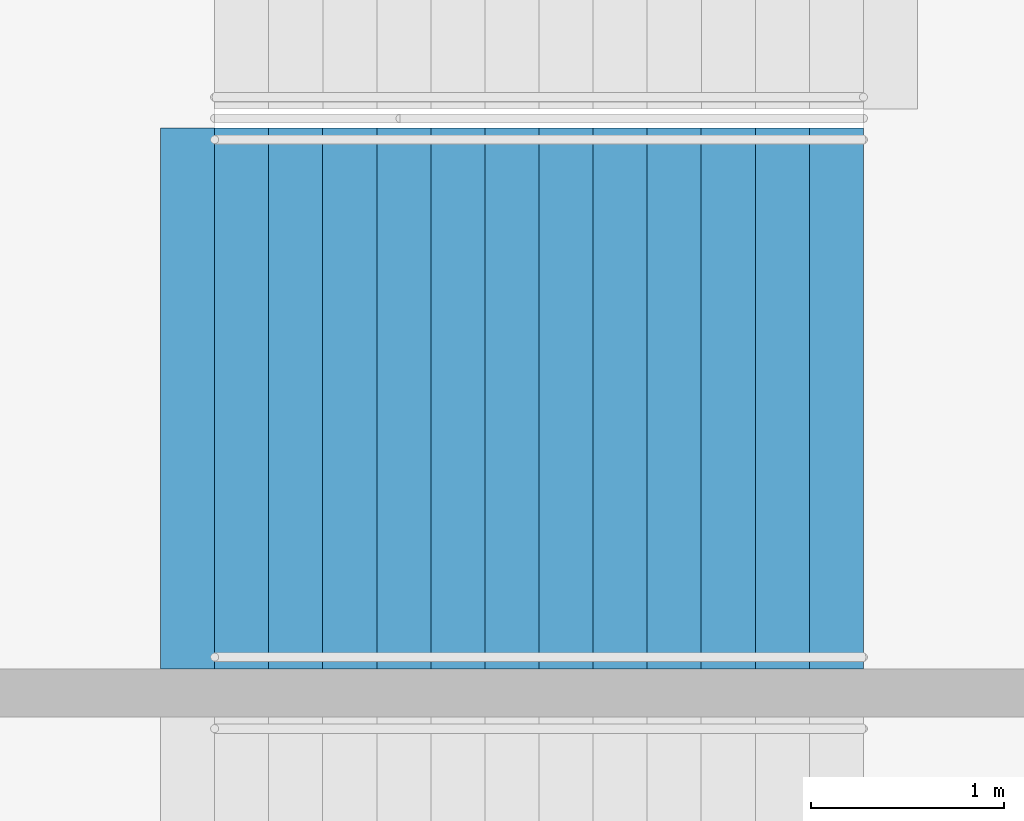
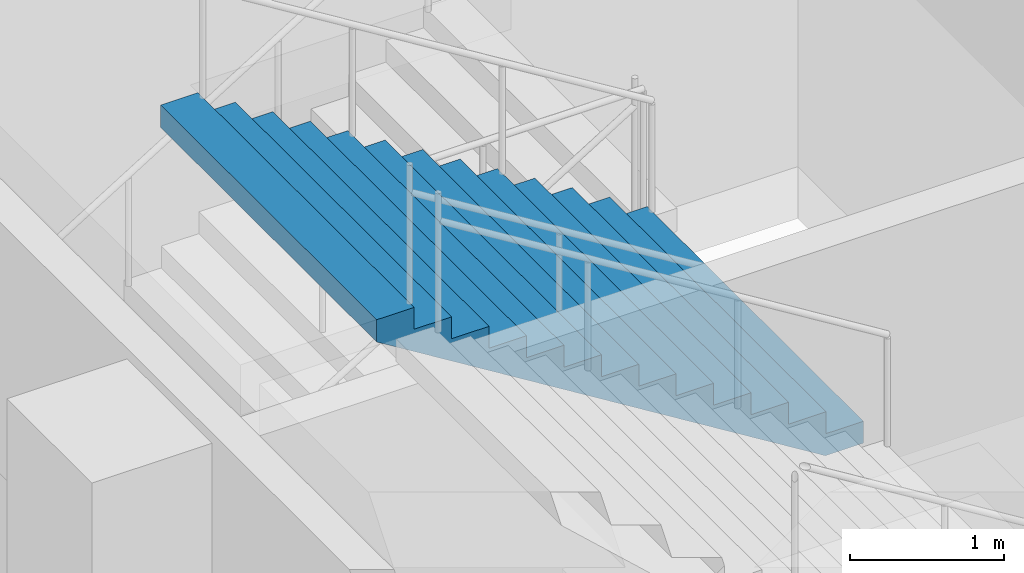
# One storey, part 129 of 177: 1 stair flight, 1 element without a shape of its own.
"""IFC4 building model written with IfcOpenShell, lengths in metres."""

from ifc_helpers import new_model, si_unit, direction, frame, origin, place, context, subcontext, project, spatial, faceted_brep, material, type_object, element, aggregate, save


model = new_model("IFC4")

# Units and contexts
model_context = context("Model", 3, precision=1e-05, world=origin(), true_north=direction((0.0, 1.0)))
body_context = subcontext(model_context, "Body", "Model", "MODEL_VIEW")
ifc_project = project(units=[si_unit("LENGTHUNIT", "METRE"), si_unit("AREAUNIT", "SQUARE_METRE"), si_unit("VOLUMEUNIT", "CUBIC_METRE"), si_unit("PLANEANGLEUNIT", "RADIAN"), si_unit("MASSUNIT", "GRAM", prefix="KILO")], contexts=[model_context])

# Site, building, storey
site_placement = place(None, origin())
site = spatial("IfcSite", under=ifc_project, at=site_placement, CompositionType="ELEMENT")
building_placement = place(site_placement, origin())
building = spatial("IfcBuilding", under=site, at=building_placement, Name="Ogive Plaza Stadium", CompositionType="ELEMENT")
storey_placement = place(building_placement, frame((0.0, 0.0, 18.0)))
storey = spatial("IfcBuildingStorey", under=building, at=storey_placement, Name="L04", CompositionType="ELEMENT", Elevation=18.0)

# Stair, stair flight
ifc_material_1 = material(Name="Concrete C40/50", Category="concrete")
stair_type = type_object("IfcStairType", Name="Exit stair", PredefinedType="STRAIGHT_RUN_STAIR", material=ifc_material_1)
stair_placement = place(storey_placement, origin())
stair = element("IfcStair", 1, at=stair_placement, inside=storey, type_object=stair_type, Name="Exit stair ST04B L04 to L05", PredefinedType="STRAIGHT_RUN_STAIR")
ifc_material_2 = material(Name="Concrete C40/50", Category="concrete")
stair_flight_type = type_object("IfcStairFlightType", Name="Exit stair flight", PredefinedType="STRAIGHT", material=ifc_material_2)
stair_flight_placement = place(storey_placement, frame((79.7099609375, 9.02490234375, 2.25), z_axis=(0.0, 0.0, 1.0), x_axis=(-1.0, 0.0, 0.0)))
stair_flight = element("IfcStairFlight", 2, at=stair_flight_placement, type_object=stair_flight_type, Name="ST04B flight 2", NumberOfRisers=13, NumberOfTreads=12, PredefinedType="STRAIGHT", RiserHeight=0.173076923, TreadLength=0.28, context=body_context, shape_type="Brep", body=[
    faceted_brep([(0.28515625, -1.39990234375, 0.0), (3.639892578125, -1.39990234375, 2.07373046875), (3.639892578125, -1.39990234375, 2.25), (3.360107421875, -1.39990234375, 2.25), (3.360107421875, -1.39990234375, 2.076904296875), (3.080078125, -1.39990234375, 2.076904296875), (3.080078125, -1.39990234375, 1.90380859375), (2.800048828125, -1.39990234375, 1.90380859375), (2.800048828125, -1.39990234375, 1.730712890625), (2.52001953125, -1.39990234375, 1.730712890625), (2.52001953125, -1.39990234375, 1.5576171875), (2.239990234375, -1.39990234375, 1.5576171875), (2.239990234375, -1.39990234375, 1.384521484375), (1.9599609375, -1.39990234375, 1.384521484375), (1.9599609375, -1.39990234375, 1.21142578125), (1.679931640625, -1.39990234375, 1.21142578125), (1.679931640625, -1.39990234375, 1.03857421875), (1.39990234375, -1.39990234375, 1.03857421875), (1.39990234375, -1.39990234375, 0.865478515625), (1.1201171875, -1.39990234375, 0.865478515625), (1.1201171875, -1.39990234375, 0.6923828125), (0.840087890625, -1.39990234375, 0.6923828125), (0.840087890625, -1.39990234375, 0.519287109375), (0.56005859375, -1.39990234375, 0.519287109375), (0.56005859375, -1.39990234375, 0.34619140625), (0.280029296875, -1.39990234375, 0.34619140625), (0.280029296875, -1.39990234375, 0.173095703125), (0.0, -1.39990234375, 0.173095703125), (0.0, -1.39990234375, 0.0), (0.0, 1.39990234375, 0.0), (0.0, 1.39990234375, 0.173095703125), (0.280029296875, 1.39990234375, 0.173095703125), (0.280029296875, 1.39990234375, 0.34619140625), (0.56005859375, 1.39990234375, 0.34619140625), (0.56005859375, 1.39990234375, 0.519287109375), (0.840087890625, 1.39990234375, 0.519287109375), (0.840087890625, 1.39990234375, 0.6923828125), (1.1201171875, 1.39990234375, 0.6923828125), (1.1201171875, 1.39990234375, 0.865478515625), (1.39990234375, 1.39990234375, 0.865478515625), (1.39990234375, 1.39990234375, 1.03857421875), (1.679931640625, 1.39990234375, 1.03857421875), (1.679931640625, 1.39990234375, 1.21142578125), (1.9599609375, 1.39990234375, 1.21142578125), (1.9599609375, 1.39990234375, 1.384521484375), (2.239990234375, 1.39990234375, 1.384521484375), (2.239990234375, 1.39990234375, 1.5576171875), (2.52001953125, 1.39990234375, 1.5576171875), (2.52001953125, 1.39990234375, 1.730712890625), (2.800048828125, 1.39990234375, 1.730712890625), (2.800048828125, 1.39990234375, 1.90380859375), (3.080078125, 1.39990234375, 1.90380859375), (3.080078125, 1.39990234375, 2.076904296875), (3.360107421875, 1.39990234375, 2.076904296875), (3.360107421875, 1.39990234375, 2.25), (3.639892578125, 1.39990234375, 2.25), (3.639892578125, 1.39990234375, 2.07373046875), (0.28515625, 1.39990234375, 0.0), (0.28515625, -1.0888671875, 0.0), (3.639892578125, -1.0888671875, 2.07373046875), (0.28515625, -0.77783203125, 0.0), (3.639892578125, -0.77783203125, 2.07373046875), (0.28515625, -0.466796875, 0.0), (3.639892578125, -0.466796875, 2.07373046875), (0.28515625, -0.155517578125, 0.0), (3.639892578125, -0.155517578125, 2.07373046875), (0.28515625, 0.155517578125, 0.0), (3.639892578125, 0.155517578125, 2.07373046875), (0.28515625, 0.466796875, 0.0), (3.639892578125, 0.466796875, 2.07373046875), (0.28515625, 0.77783203125, 0.0), (3.639892578125, 0.77783203125, 2.07373046875), (0.28515625, 1.0888671875, 0.0), (3.639892578125, 1.0888671875, 2.07373046875), (3.639892578125, -1.0888671875, 2.25), (3.639892578125, -0.77783203125, 2.25), (3.639892578125, -0.466796875, 2.25), (3.639892578125, -0.155517578125, 2.25), (3.639892578125, 0.155517578125, 2.25), (3.639892578125, 0.466796875, 2.25), (3.639892578125, 0.77783203125, 2.25), (3.639892578125, 1.0888671875, 2.25), (3.360107421875, -1.0888671875, 2.25), (3.360107421875, -0.77783203125, 2.25), (3.360107421875, -0.466796875, 2.25), (3.360107421875, -0.155517578125, 2.25), (3.360107421875, 0.155517578125, 2.25), (3.360107421875, 0.466796875, 2.25), (3.360107421875, 0.77783203125, 2.25), (3.360107421875, 1.0888671875, 2.25), (3.360107421875, -1.0888671875, 2.076904296875), (3.360107421875, -0.77783203125, 2.076904296875), (3.360107421875, -0.466796875, 2.076904296875), (3.360107421875, -0.155517578125, 2.076904296875), (3.360107421875, 0.155517578125, 2.076904296875), (3.360107421875, 0.466796875, 2.076904296875), (3.360107421875, 0.77783203125, 2.076904296875), (3.360107421875, 1.0888671875, 2.076904296875), (3.080078125, -1.0888671875, 2.076904296875), (3.080078125, -0.77783203125, 2.076904296875), (3.080078125, -0.466796875, 2.076904296875), (3.080078125, -0.155517578125, 2.076904296875), (3.080078125, 0.155517578125, 2.076904296875), (3.080078125, 0.466796875, 2.076904296875), (3.080078125, 0.77783203125, 2.076904296875), (3.080078125, 1.0888671875, 2.076904296875), (3.080078125, -1.0888671875, 1.90380859375), (3.080078125, -0.77783203125, 1.90380859375), (3.080078125, -0.466796875, 1.90380859375), (3.080078125, -0.155517578125, 1.90380859375), (3.080078125, 0.155517578125, 1.90380859375), (3.080078125, 0.466796875, 1.90380859375), (3.080078125, 0.77783203125, 1.90380859375), (3.080078125, 1.0888671875, 1.90380859375), (2.800048828125, -1.0888671875, 1.90380859375), (2.800048828125, -0.77783203125, 1.90380859375), (2.800048828125, -0.466796875, 1.90380859375), (2.800048828125, -0.155517578125, 1.90380859375), (2.800048828125, 0.155517578125, 1.90380859375), (2.800048828125, 0.466796875, 1.90380859375), (2.800048828125, 0.77783203125, 1.90380859375), (2.800048828125, 1.0888671875, 1.90380859375), (2.800048828125, -1.0888671875, 1.730712890625), (2.800048828125, -0.77783203125, 1.730712890625), (2.800048828125, -0.466796875, 1.730712890625), (2.800048828125, -0.155517578125, 1.730712890625), (2.800048828125, 0.155517578125, 1.730712890625), (2.800048828125, 0.466796875, 1.730712890625), (2.800048828125, 0.77783203125, 1.730712890625), (2.800048828125, 1.0888671875, 1.730712890625), (2.52001953125, -1.0888671875, 1.730712890625), (2.52001953125, -0.77783203125, 1.730712890625), (2.52001953125, -0.466796875, 1.730712890625), (2.52001953125, -0.155517578125, 1.730712890625), (2.52001953125, 0.155517578125, 1.730712890625), (2.52001953125, 0.466796875, 1.730712890625), (2.52001953125, 0.77783203125, 1.730712890625), (2.52001953125, 1.0888671875, 1.730712890625), (2.52001953125, -1.0888671875, 1.5576171875), (2.52001953125, -0.77783203125, 1.5576171875), (2.52001953125, -0.466796875, 1.5576171875), (2.52001953125, -0.155517578125, 1.5576171875), (2.52001953125, 0.155517578125, 1.5576171875), (2.52001953125, 0.466796875, 1.5576171875), (2.52001953125, 0.77783203125, 1.5576171875), (2.52001953125, 1.0888671875, 1.5576171875), (2.239990234375, -1.0888671875, 1.5576171875), (2.239990234375, -0.77783203125, 1.5576171875), (2.239990234375, -0.466796875, 1.5576171875), (2.239990234375, -0.155517578125, 1.5576171875), (2.239990234375, 0.155517578125, 1.5576171875), (2.239990234375, 0.466796875, 1.5576171875), (2.239990234375, 0.77783203125, 1.5576171875), (2.239990234375, 1.0888671875, 1.5576171875), (2.239990234375, -1.0888671875, 1.384521484375), (2.239990234375, -0.77783203125, 1.384521484375), (2.239990234375, -0.466796875, 1.384521484375), (2.239990234375, -0.155517578125, 1.384521484375), (2.239990234375, 0.155517578125, 1.384521484375), (2.239990234375, 0.466796875, 1.384521484375), (2.239990234375, 0.77783203125, 1.384521484375), (2.239990234375, 1.0888671875, 1.384521484375), (1.9599609375, -1.0888671875, 1.384521484375), (1.9599609375, -0.77783203125, 1.384521484375), (1.9599609375, -0.466796875, 1.384521484375), (1.9599609375, -0.155517578125, 1.384521484375), (1.9599609375, 0.155517578125, 1.384521484375), (1.9599609375, 0.466796875, 1.384521484375), (1.9599609375, 0.77783203125, 1.384521484375), (1.9599609375, 1.0888671875, 1.384521484375), (1.9599609375, -1.0888671875, 1.21142578125), (1.9599609375, -0.77783203125, 1.21142578125), (1.9599609375, -0.466796875, 1.21142578125), (1.9599609375, -0.155517578125, 1.21142578125), (1.9599609375, 0.155517578125, 1.21142578125), (1.9599609375, 0.466796875, 1.21142578125), (1.9599609375, 0.77783203125, 1.21142578125), (1.9599609375, 1.0888671875, 1.21142578125), (1.679931640625, -1.0888671875, 1.21142578125), (1.679931640625, -0.77783203125, 1.21142578125), (1.679931640625, -0.466796875, 1.21142578125), (1.679931640625, -0.155517578125, 1.21142578125), (1.679931640625, 0.155517578125, 1.21142578125), (1.679931640625, 0.466796875, 1.21142578125), (1.679931640625, 0.77783203125, 1.21142578125), (1.679931640625, 1.0888671875, 1.21142578125), (1.679931640625, -1.0888671875, 1.03857421875), (1.679931640625, -0.77783203125, 1.03857421875), (1.679931640625, -0.466796875, 1.03857421875), (1.679931640625, -0.155517578125, 1.03857421875), (1.679931640625, 0.155517578125, 1.03857421875), (1.679931640625, 0.466796875, 1.03857421875), (1.679931640625, 0.77783203125, 1.03857421875), (1.679931640625, 1.0888671875, 1.03857421875), (1.39990234375, -1.0888671875, 1.03857421875), (1.39990234375, -0.77783203125, 1.03857421875), (1.39990234375, -0.466796875, 1.03857421875), (1.39990234375, -0.155517578125, 1.03857421875), (1.39990234375, 0.155517578125, 1.03857421875), (1.39990234375, 0.466796875, 1.03857421875), (1.39990234375, 0.77783203125, 1.03857421875), (1.39990234375, 1.0888671875, 1.03857421875), (1.39990234375, -1.0888671875, 0.865478515625), (1.39990234375, -0.77783203125, 0.865478515625), (1.39990234375, -0.466796875, 0.865478515625), (1.39990234375, -0.155517578125, 0.865478515625), (1.39990234375, 0.155517578125, 0.865478515625), (1.39990234375, 0.466796875, 0.865478515625), (1.39990234375, 0.77783203125, 0.865478515625), (1.39990234375, 1.0888671875, 0.865478515625), (1.1201171875, -1.0888671875, 0.865478515625), (1.1201171875, -0.77783203125, 0.865478515625), (1.1201171875, -0.466796875, 0.865478515625), (1.1201171875, -0.155517578125, 0.865478515625), (1.1201171875, 0.155517578125, 0.865478515625), (1.1201171875, 0.466796875, 0.865478515625), (1.1201171875, 0.77783203125, 0.865478515625), (1.1201171875, 1.0888671875, 0.865478515625), (1.1201171875, -1.0888671875, 0.6923828125), (1.1201171875, -0.77783203125, 0.6923828125), (1.1201171875, -0.466796875, 0.6923828125), (1.1201171875, -0.155517578125, 0.6923828125), (1.1201171875, 0.155517578125, 0.6923828125), (1.1201171875, 0.466796875, 0.6923828125), (1.1201171875, 0.77783203125, 0.6923828125), (1.1201171875, 1.0888671875, 0.6923828125), (0.840087890625, -1.0888671875, 0.6923828125), (0.840087890625, -0.77783203125, 0.6923828125), (0.840087890625, -0.466796875, 0.6923828125), (0.840087890625, -0.155517578125, 0.6923828125), (0.840087890625, 0.155517578125, 0.6923828125), (0.840087890625, 0.466796875, 0.6923828125), (0.840087890625, 0.77783203125, 0.6923828125), (0.840087890625, 1.0888671875, 0.6923828125), (0.840087890625, -1.0888671875, 0.519287109375), (0.840087890625, -0.77783203125, 0.519287109375), (0.840087890625, -0.466796875, 0.519287109375), (0.840087890625, -0.155517578125, 0.519287109375), (0.840087890625, 0.155517578125, 0.519287109375), (0.840087890625, 0.466796875, 0.519287109375), (0.840087890625, 0.77783203125, 0.519287109375), (0.840087890625, 1.0888671875, 0.519287109375), (0.56005859375, -1.0888671875, 0.519287109375), (0.56005859375, -0.77783203125, 0.519287109375), (0.56005859375, -0.466796875, 0.519287109375), (0.56005859375, -0.155517578125, 0.519287109375), (0.56005859375, 0.155517578125, 0.519287109375), (0.56005859375, 0.466796875, 0.519287109375), (0.56005859375, 0.77783203125, 0.519287109375), (0.56005859375, 1.0888671875, 0.519287109375), (0.56005859375, -1.0888671875, 0.34619140625), (0.56005859375, -0.77783203125, 0.34619140625), (0.56005859375, -0.466796875, 0.34619140625), (0.56005859375, -0.155517578125, 0.34619140625), (0.56005859375, 0.155517578125, 0.34619140625), (0.56005859375, 0.466796875, 0.34619140625), (0.56005859375, 0.77783203125, 0.34619140625), (0.56005859375, 1.0888671875, 0.34619140625), (0.280029296875, -1.0888671875, 0.34619140625), (0.280029296875, -0.77783203125, 0.34619140625), (0.280029296875, -0.466796875, 0.34619140625), (0.280029296875, -0.155517578125, 0.34619140625), (0.280029296875, 0.155517578125, 0.34619140625), (0.280029296875, 0.466796875, 0.34619140625), (0.280029296875, 0.77783203125, 0.34619140625), (0.280029296875, 1.0888671875, 0.34619140625), (0.280029296875, -1.0888671875, 0.173095703125), (0.280029296875, -0.77783203125, 0.173095703125), (0.280029296875, -0.466796875, 0.173095703125), (0.280029296875, -0.155517578125, 0.173095703125), (0.280029296875, 0.155517578125, 0.173095703125), (0.280029296875, 0.466796875, 0.173095703125), (0.280029296875, 0.77783203125, 0.173095703125), (0.280029296875, 1.0888671875, 0.173095703125), (0.0, -1.0888671875, 0.173095703125), (0.0, -0.77783203125, 0.173095703125), (0.0, -0.466796875, 0.173095703125), (0.0, -0.155517578125, 0.173095703125), (0.0, 0.155517578125, 0.173095703125), (0.0, 0.466796875, 0.173095703125), (0.0, 0.77783203125, 0.173095703125), (0.0, 1.0888671875, 0.173095703125), (0.0, -1.0888671875, 0.0), (0.0, -0.77783203125, 0.0), (0.0, -0.466796875, 0.0), (0.0, -0.155517578125, 0.0), (0.0, 0.155517578125, 0.0), (0.0, 0.466796875, 0.0), (0.0, 0.77783203125, 0.0), (0.0, 1.0888671875, 0.0)], [[[0, 1, 2, 3, 4, 5, 6, 7, 8, 9, 10, 11, 12, 13, 14, 15, 16, 17, 18, 19, 20, 21, 22, 23, 24, 25, 26, 27, 28]], [[29, 30, 31, 32, 33, 34, 35, 36, 37, 38, 39, 40, 41, 42, 43, 44, 45, 46, 47, 48, 49, 50, 51, 52, 53, 54, 55, 56, 57]], [[0, 58, 59, 1]], [[58, 60, 61, 59]], [[60, 62, 63, 61]], [[62, 64, 65, 63]], [[64, 66, 67, 65]], [[66, 68, 69, 67]], [[68, 70, 71, 69]], [[70, 72, 73, 71]], [[72, 57, 56, 73]], [[1, 59, 74, 2]], [[59, 61, 75, 74]], [[61, 63, 76, 75]], [[63, 65, 77, 76]], [[65, 67, 78, 77]], [[67, 69, 79, 78]], [[69, 71, 80, 79]], [[71, 73, 81, 80]], [[73, 56, 55, 81]], [[2, 74, 82, 3]], [[74, 75, 83, 82]], [[75, 76, 84, 83]], [[76, 77, 85, 84]], [[77, 78, 86, 85]], [[78, 79, 87, 86]], [[79, 80, 88, 87]], [[80, 81, 89, 88]], [[81, 55, 54, 89]], [[3, 82, 90, 4]], [[82, 83, 91, 90]], [[83, 84, 92, 91]], [[84, 85, 93, 92]], [[85, 86, 94, 93]], [[86, 87, 95, 94]], [[87, 88, 96, 95]], [[88, 89, 97, 96]], [[89, 54, 53, 97]], [[4, 90, 98, 5]], [[90, 91, 99, 98]], [[91, 92, 100, 99]], [[92, 93, 101, 100]], [[93, 94, 102, 101]], [[94, 95, 103, 102]], [[95, 96, 104, 103]], [[96, 97, 105, 104]], [[97, 53, 52, 105]], [[5, 98, 106, 6]], [[98, 99, 107, 106]], [[99, 100, 108, 107]], [[100, 101, 109, 108]], [[101, 102, 110, 109]], [[102, 103, 111, 110]], [[103, 104, 112, 111]], [[104, 105, 113, 112]], [[105, 52, 51, 113]], [[6, 106, 114, 7]], [[106, 107, 115, 114]], [[107, 108, 116, 115]], [[108, 109, 117, 116]], [[109, 110, 118, 117]], [[110, 111, 119, 118]], [[111, 112, 120, 119]], [[112, 113, 121, 120]], [[113, 51, 50, 121]], [[7, 114, 122, 8]], [[114, 115, 123, 122]], [[115, 116, 124, 123]], [[116, 117, 125, 124]], [[117, 118, 126, 125]], [[118, 119, 127, 126]], [[119, 120, 128, 127]], [[120, 121, 129, 128]], [[121, 50, 49, 129]], [[8, 122, 130, 9]], [[122, 123, 131, 130]], [[123, 124, 132, 131]], [[124, 125, 133, 132]], [[125, 126, 134, 133]], [[126, 127, 135, 134]], [[127, 128, 136, 135]], [[128, 129, 137, 136]], [[129, 49, 48, 137]], [[9, 130, 138, 10]], [[130, 131, 139, 138]], [[131, 132, 140, 139]], [[132, 133, 141, 140]], [[133, 134, 142, 141]], [[134, 135, 143, 142]], [[135, 136, 144, 143]], [[136, 137, 145, 144]], [[137, 48, 47, 145]], [[10, 138, 146, 11]], [[138, 139, 147, 146]], [[139, 140, 148, 147]], [[140, 141, 149, 148]], [[141, 142, 150, 149]], [[142, 143, 151, 150]], [[143, 144, 152, 151]], [[144, 145, 153, 152]], [[145, 47, 46, 153]], [[11, 146, 154, 12]], [[146, 147, 155, 154]], [[147, 148, 156, 155]], [[148, 149, 157, 156]], [[149, 150, 158, 157]], [[150, 151, 159, 158]], [[151, 152, 160, 159]], [[152, 153, 161, 160]], [[153, 46, 45, 161]], [[12, 154, 162, 13]], [[154, 155, 163, 162]], [[155, 156, 164, 163]], [[156, 157, 165, 164]], [[157, 158, 166, 165]], [[158, 159, 167, 166]], [[159, 160, 168, 167]], [[160, 161, 169, 168]], [[161, 45, 44, 169]], [[13, 162, 170, 14]], [[162, 163, 171, 170]], [[163, 164, 172, 171]], [[164, 165, 173, 172]], [[165, 166, 174, 173]], [[166, 167, 175, 174]], [[167, 168, 176, 175]], [[168, 169, 177, 176]], [[169, 44, 43, 177]], [[14, 170, 178, 15]], [[170, 171, 179, 178]], [[171, 172, 180, 179]], [[172, 173, 181, 180]], [[173, 174, 182, 181]], [[174, 175, 183, 182]], [[175, 176, 184, 183]], [[176, 177, 185, 184]], [[177, 43, 42, 185]], [[15, 178, 186, 16]], [[178, 179, 187, 186]], [[179, 180, 188, 187]], [[180, 181, 189, 188]], [[181, 182, 190, 189]], [[182, 183, 191, 190]], [[183, 184, 192, 191]], [[184, 185, 193, 192]], [[185, 42, 41, 193]], [[16, 186, 194, 17]], [[186, 187, 195, 194]], [[187, 188, 196, 195]], [[188, 189, 197, 196]], [[189, 190, 198, 197]], [[190, 191, 199, 198]], [[191, 192, 200, 199]], [[192, 193, 201, 200]], [[193, 41, 40, 201]], [[17, 194, 202, 18]], [[194, 195, 203, 202]], [[195, 196, 204, 203]], [[196, 197, 205, 204]], [[197, 198, 206, 205]], [[198, 199, 207, 206]], [[199, 200, 208, 207]], [[200, 201, 209, 208]], [[201, 40, 39, 209]], [[18, 202, 210, 19]], [[202, 203, 211, 210]], [[203, 204, 212, 211]], [[204, 205, 213, 212]], [[205, 206, 214, 213]], [[206, 207, 215, 214]], [[207, 208, 216, 215]], [[208, 209, 217, 216]], [[209, 39, 38, 217]], [[19, 210, 218, 20]], [[210, 211, 219, 218]], [[211, 212, 220, 219]], [[212, 213, 221, 220]], [[213, 214, 222, 221]], [[214, 215, 223, 222]], [[215, 216, 224, 223]], [[216, 217, 225, 224]], [[217, 38, 37, 225]], [[20, 218, 226, 21]], [[218, 219, 227, 226]], [[219, 220, 228, 227]], [[220, 221, 229, 228]], [[221, 222, 230, 229]], [[222, 223, 231, 230]], [[223, 224, 232, 231]], [[224, 225, 233, 232]], [[225, 37, 36, 233]], [[21, 226, 234, 22]], [[226, 227, 235, 234]], [[227, 228, 236, 235]], [[228, 229, 237, 236]], [[229, 230, 238, 237]], [[230, 231, 239, 238]], [[231, 232, 240, 239]], [[232, 233, 241, 240]], [[233, 36, 35, 241]], [[22, 234, 242, 23]], [[234, 235, 243, 242]], [[235, 236, 244, 243]], [[236, 237, 245, 244]], [[237, 238, 246, 245]], [[238, 239, 247, 246]], [[239, 240, 248, 247]], [[240, 241, 249, 248]], [[241, 35, 34, 249]], [[23, 242, 250, 24]], [[242, 243, 251, 250]], [[243, 244, 252, 251]], [[244, 245, 253, 252]], [[245, 246, 254, 253]], [[246, 247, 255, 254]], [[247, 248, 256, 255]], [[248, 249, 257, 256]], [[249, 34, 33, 257]], [[24, 250, 258, 25]], [[250, 251, 259, 258]], [[251, 252, 260, 259]], [[252, 253, 261, 260]], [[253, 254, 262, 261]], [[254, 255, 263, 262]], [[255, 256, 264, 263]], [[256, 257, 265, 264]], [[257, 33, 32, 265]], [[25, 258, 266, 26]], [[258, 259, 267, 266]], [[259, 260, 268, 267]], [[260, 261, 269, 268]], [[261, 262, 270, 269]], [[262, 263, 271, 270]], [[263, 264, 272, 271]], [[264, 265, 273, 272]], [[265, 32, 31, 273]], [[26, 266, 274, 27]], [[266, 267, 275, 274]], [[267, 268, 276, 275]], [[268, 269, 277, 276]], [[269, 270, 278, 277]], [[270, 271, 279, 278]], [[271, 272, 280, 279]], [[272, 273, 281, 280]], [[273, 31, 30, 281]], [[27, 274, 282, 28]], [[274, 275, 283, 282]], [[275, 276, 284, 283]], [[276, 277, 285, 284]], [[277, 278, 286, 285]], [[278, 279, 287, 286]], [[279, 280, 288, 287]], [[280, 281, 289, 288]], [[281, 30, 29, 289]], [[28, 282, 58, 0]], [[282, 283, 60, 58]], [[283, 284, 62, 60]], [[284, 285, 64, 62]], [[285, 286, 66, 64]], [[286, 287, 68, 66]], [[287, 288, 70, 68]], [[288, 289, 72, 70]], [[289, 29, 57, 72]]]),
])
aggregate(stair, [stair_flight])

save(model, "model.ifc")
